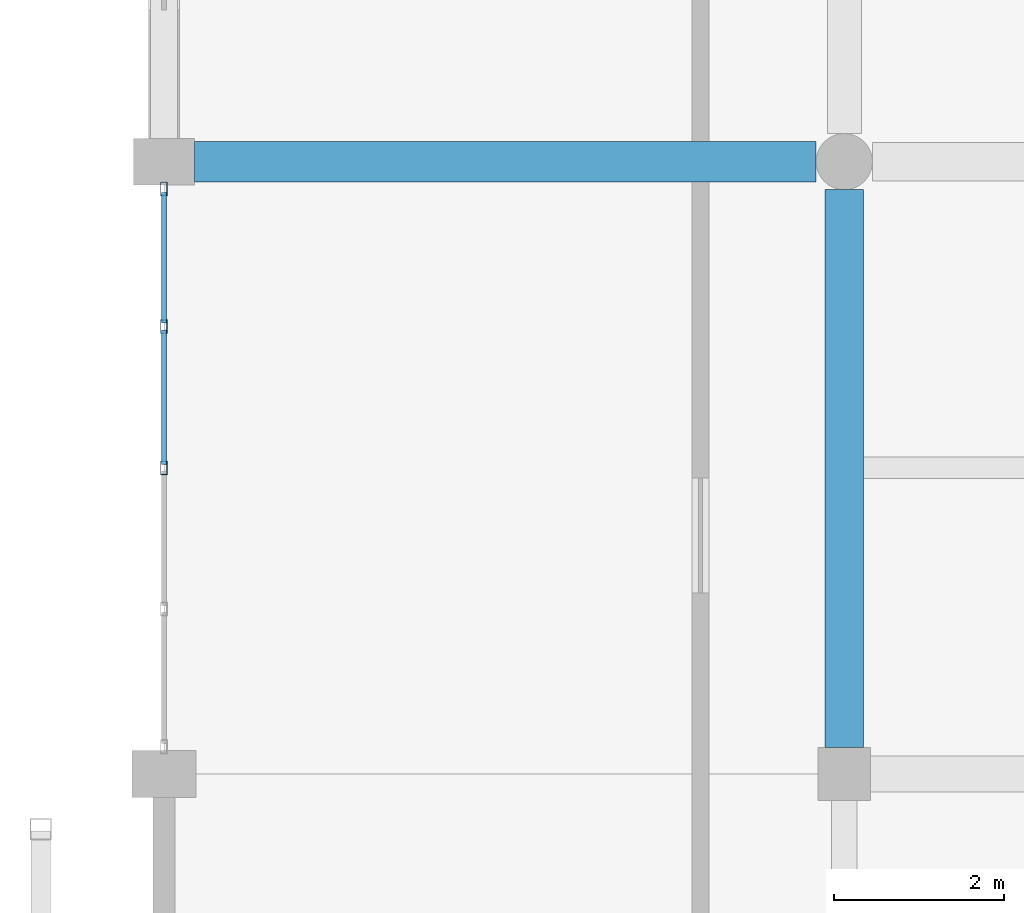
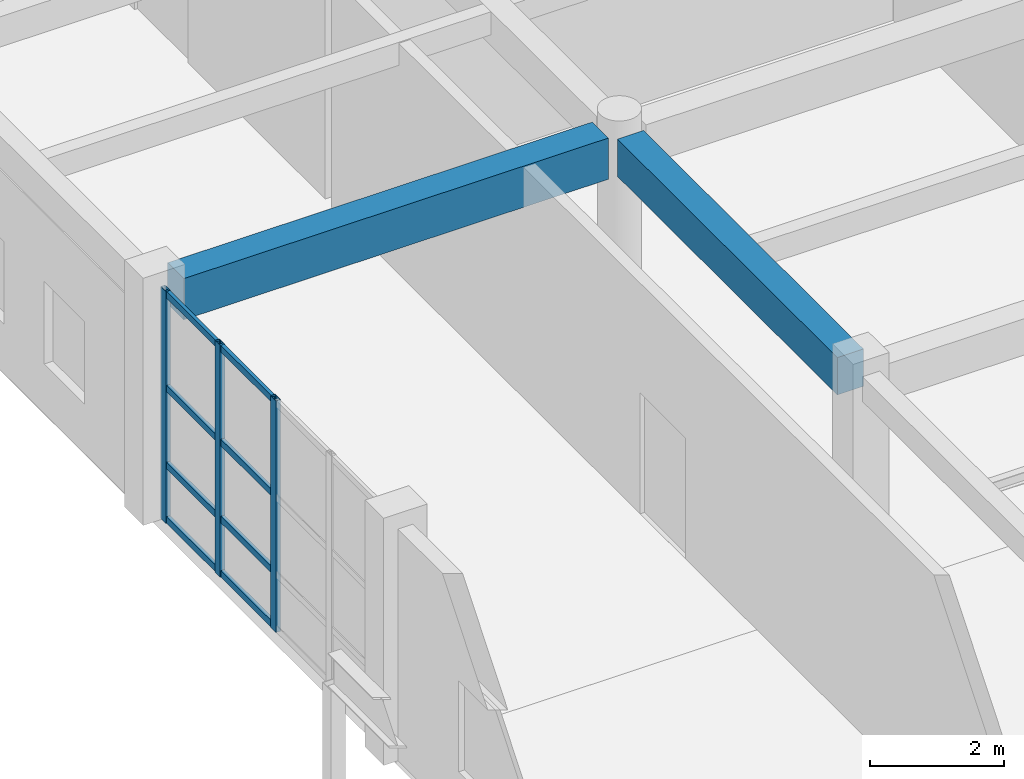
# One storey, part 71 of 160: 11 members, 2 beams, 1 element without a shape of its own.
"""IFC4 building model written with IfcOpenShell, lengths in metres."""

from ifc_helpers import new_model, si_unit, direction, frame, origin, origin_2d, place, context, subcontext, project, spatial, rectangle, hollow_rectangle, extrude, material, material_profile, profile_set, type_object, element, aggregate, save


model = new_model("IFC4")

# Units and contexts
model_context = context("Model", 3, precision=1e-05, world=origin(), true_north=direction((0.0, 1.0)))
body_context = subcontext(model_context, "Body", "Model", "MODEL_VIEW")
ifc_project = project(units=[si_unit("LENGTHUNIT", "METRE"), si_unit("AREAUNIT", "SQUARE_METRE"), si_unit("VOLUMEUNIT", "CUBIC_METRE"), si_unit("PLANEANGLEUNIT", "RADIAN"), si_unit("MASSUNIT", "GRAM", prefix="KILO")], contexts=[model_context])

# Site, building, storey
site_placement = place(None, origin())
site = spatial("IfcSite", under=ifc_project, at=site_placement, CompositionType="ELEMENT")
building_placement = place(site_placement, origin())
building = spatial("IfcBuilding", under=site, at=building_placement, Name="Kharva Crest Polytechnic", CompositionType="ELEMENT")
storey_placement = place(building_placement, frame((0.0, 0.0, 4.5)))
storey = spatial("IfcBuildingStorey", under=building, at=storey_placement, Name="L01", CompositionType="ELEMENT", Elevation=4.5)

# Beams
ifc_material_1 = material(Name="Concrete C35/45", Category="concrete")
ifc_material_profile_1 = material_profile(ifc_material_1, rectangle(XDim=0.449951171875, YDim=0.679931640625, at=origin_2d()), Name="RECT 450 X 680")
ifc_profile_set_1 = profile_set([ifc_material_profile_1], Name="Concrete C35/45")
beam_type_1 = type_object("IfcBeamType", Name="BM-RC-450X680", PredefinedType="BEAM", material=ifc_profile_set_1)
beam_1_placement = place(storey_placement, frame((40.0, 93.510009765625, 3.8798828125), z_axis=(0.0, 1.0, 0.0), x_axis=(-1.0, 0.0, 0.0)))
element("IfcBeam", 1, at=beam_1_placement, inside=storey, type_object=beam_type_1, Name="L01 Girder 6/N-P", PredefinedType="BEAM", context=body_context, shape_type="SweptSolid", body=[
    extrude(rectangle(XDim=0.449951171875, YDim=0.679931640625, at=origin_2d()), origin(), (0.0, 0.0, 1.0), 6.56005859375),
])
ifc_material_profile_2 = material_profile(ifc_material_1, rectangle(XDim=0.47998046875, YDim=0.75, at=origin_2d()), Name="RECT 480 X 750")
ifc_profile_set_2 = profile_set([ifc_material_profile_2], Name="Concrete C35/45")
beam_type_2 = type_object("IfcBeamType", Name="BM-RC-480X750", PredefinedType="BEAM", material=ifc_profile_set_2)
beam_2_placement = place(storey_placement, frame((32.360107421875, 100.39990234375, 3.844970703125), z_axis=(1.0, 0.0, 0.0), x_axis=(0.0, 1.0, 0.0)))
element("IfcBeam", 2, at=beam_2_placement, inside=storey, type_object=beam_type_2, Name="L01 Beam P/5-6", PredefinedType="BEAM", context=body_context, shape_type="SweptSolid", body=[
    extrude(rectangle(XDim=0.47998046875, YDim=0.75, at=origin_2d()), origin(), (0.0, 0.0, 1.0), 7.309814453125),
])

# Curtain wall, members
ifc_material_2 = material(Name="Tempered insulated glass", Category="glass")
curtain_wall_type = type_object("IfcCurtainWallType", Name="CW-SYS-COURT", PredefinedType="USERDEFINED", material=ifc_material_2)
curtain_wall_placement = place(storey_placement, origin())
curtain_wall = element("IfcCurtainWall", 3, at=curtain_wall_placement, inside=storey, type_object=curtain_wall_type, Name="L01 Glazed Curtain Wall CW-079", ObjectType="CURTAIN WALL", PredefinedType="USERDEFINED")
ifc_material_3 = material(Name="Steel S355", Category="steel")
ifc_material_profile_3 = material_profile(ifc_material_3, hollow_rectangle(XDim=0.080078125, YDim=0.159912109375, WallThickness=0.0048828125, at=origin_2d()), Name="RHS 160X80X5.0")
ifc_profile_set_3 = profile_set([ifc_material_profile_3], Name="Steel S355")
member_type_1 = type_object("IfcMemberType", Name="CWM-RHS160X80", PredefinedType="MULLION", material=ifc_profile_set_3)
member_1_placement = place(storey_placement, frame((32.0, 100.080078125, 0.0), z_axis=(0.0, 0.0, 1.0), x_axis=(1.0, 0.0, 0.0)))
member_1 = element("IfcMember", 4, at=member_1_placement, type_object=member_type_1, Name="CW-079 mullion 1", PredefinedType="MULLION", context=body_context, shape_type="SweptSolid", body=[
    extrude(hollow_rectangle(XDim=0.080078125, YDim=0.159912109375, WallThickness=0.0048828125, at=origin_2d()), origin(), (0.0, 0.0, 1.0), 4.219970703125),
])
member_2_placement = place(storey_placement, frame((32.0, 98.4599609375, 0.0), z_axis=(0.0, 0.0, 1.0), x_axis=(1.0, 0.0, 0.0)))
member_2 = element("IfcMember", 5, at=member_2_placement, type_object=member_type_1, Name="CW-079 mullion 2", PredefinedType="MULLION", context=body_context, shape_type="SweptSolid", body=[
    extrude(hollow_rectangle(XDim=0.080078125, YDim=0.159912109375, WallThickness=0.0048828125, at=origin_2d()), origin(), (0.0, 0.0, 1.0), 4.219970703125),
])
member_3_placement = place(storey_placement, frame((32.0, 96.800048828125, 0.0), z_axis=(0.0, 0.0, 1.0), x_axis=(1.0, 0.0, 0.0)))
member_3 = element("IfcMember", 6, at=member_3_placement, type_object=member_type_1, Name="CW-079 mullion 3", PredefinedType="MULLION", context=body_context, shape_type="SweptSolid", body=[
    extrude(hollow_rectangle(XDim=0.080078125, YDim=0.159912109375, WallThickness=0.0048828125, at=origin_2d()), origin(), (0.0, 0.0, 1.0), 4.219970703125),
])
ifc_material_profile_4 = material_profile(ifc_material_3, hollow_rectangle(XDim=0.06005859375, YDim=0.1201171875, WallThickness=0.00390625, at=origin_2d()), Name="RHS 120X60X4.0")
ifc_profile_set_4 = profile_set([ifc_material_profile_4], Name="Steel S355")
member_type_2 = type_object("IfcMemberType", Name="CWT-RHS120X60", PredefinedType="USERDEFINED", material=ifc_profile_set_4)
member_4_placement = place(storey_placement, frame((32.0, 100.0400390625, 0.06005859375), z_axis=(0.0, -1.0, 0.0), x_axis=(1.0, 0.0, 0.0)))
member_4 = element("IfcMember", 7, at=member_4_placement, type_object=member_type_2, Name="CW-079 transom 1.1", ObjectType="TRANSOM", PredefinedType="USERDEFINED", context=body_context, shape_type="SweptSolid", body=[
    extrude(hollow_rectangle(XDim=0.06005859375, YDim=0.1201171875, WallThickness=0.00390625, at=origin_2d()), origin(), (0.0, 0.0, 1.0), 1.5400390625),
])
member_5_placement = place(storey_placement, frame((32.0, 100.0400390625, 1.050048828125), z_axis=(0.0, -1.0, 0.0), x_axis=(1.0, 0.0, 0.0)))
member_5 = element("IfcMember", 8, at=member_5_placement, type_object=member_type_2, Name="CW-079 transom 1.2", ObjectType="TRANSOM", PredefinedType="USERDEFINED", context=body_context, shape_type="SweptSolid", body=[
    extrude(hollow_rectangle(XDim=0.06005859375, YDim=0.1201171875, WallThickness=0.00390625, at=origin_2d()), origin(), (0.0, 0.0, 1.0), 1.5400390625),
])
member_6_placement = place(storey_placement, frame((32.0, 100.0400390625, 2.449951171875), z_axis=(0.0, -1.0, 0.0), x_axis=(1.0, 0.0, 0.0)))
member_6 = element("IfcMember", 9, at=member_6_placement, type_object=member_type_2, Name="CW-079 transom 1.3", ObjectType="TRANSOM", PredefinedType="USERDEFINED", context=body_context, shape_type="SweptSolid", body=[
    extrude(hollow_rectangle(XDim=0.06005859375, YDim=0.1201171875, WallThickness=0.00390625, at=origin_2d()), origin(), (0.0, 0.0, 1.0), 1.5400390625),
])
member_7_placement = place(storey_placement, frame((32.0, 100.0400390625, 4.159912109375), z_axis=(0.0, -1.0, 0.0), x_axis=(1.0, 0.0, 0.0)))
member_7 = element("IfcMember", 10, at=member_7_placement, type_object=member_type_2, Name="CW-079 transom 1.4", ObjectType="TRANSOM", PredefinedType="USERDEFINED", context=body_context, shape_type="SweptSolid", body=[
    extrude(hollow_rectangle(XDim=0.06005859375, YDim=0.1201171875, WallThickness=0.00390625, at=origin_2d()), origin(), (0.0, 0.0, 1.0), 1.5400390625),
])
member_8_placement = place(storey_placement, frame((32.0, 98.419921875, 0.06005859375), z_axis=(0.0, -1.0, 0.0), x_axis=(1.0, 0.0, 0.0)))
member_8 = element("IfcMember", 11, at=member_8_placement, type_object=member_type_2, Name="CW-079 transom 2.1", ObjectType="TRANSOM", PredefinedType="USERDEFINED", context=body_context, shape_type="SweptSolid", body=[
    extrude(hollow_rectangle(XDim=0.06005859375, YDim=0.1201171875, WallThickness=0.00390625, at=origin_2d()), origin(), (0.0, 0.0, 1.0), 1.579833984375),
])
member_9_placement = place(storey_placement, frame((32.0, 98.419921875, 1.050048828125), z_axis=(0.0, -1.0, 0.0), x_axis=(1.0, 0.0, 0.0)))
member_9 = element("IfcMember", 12, at=member_9_placement, type_object=member_type_2, Name="CW-079 transom 2.2", ObjectType="TRANSOM", PredefinedType="USERDEFINED", context=body_context, shape_type="SweptSolid", body=[
    extrude(hollow_rectangle(XDim=0.06005859375, YDim=0.1201171875, WallThickness=0.00390625, at=origin_2d()), origin(), (0.0, 0.0, 1.0), 1.579833984375),
])
member_10_placement = place(storey_placement, frame((32.0, 98.419921875, 2.449951171875), z_axis=(0.0, -1.0, 0.0), x_axis=(1.0, 0.0, 0.0)))
member_10 = element("IfcMember", 13, at=member_10_placement, type_object=member_type_2, Name="CW-079 transom 2.3", ObjectType="TRANSOM", PredefinedType="USERDEFINED", context=body_context, shape_type="SweptSolid", body=[
    extrude(hollow_rectangle(XDim=0.06005859375, YDim=0.1201171875, WallThickness=0.00390625, at=origin_2d()), origin(), (0.0, 0.0, 1.0), 1.579833984375),
])
member_11_placement = place(storey_placement, frame((32.0, 98.419921875, 4.159912109375), z_axis=(0.0, -1.0, 0.0), x_axis=(1.0, 0.0, 0.0)))
member_11 = element("IfcMember", 14, at=member_11_placement, type_object=member_type_2, Name="CW-079 transom 2.4", ObjectType="TRANSOM", PredefinedType="USERDEFINED", context=body_context, shape_type="SweptSolid", body=[
    extrude(hollow_rectangle(XDim=0.06005859375, YDim=0.1201171875, WallThickness=0.00390625, at=origin_2d()), origin(), (0.0, 0.0, 1.0), 1.579833984375),
])
aggregate(curtain_wall, [member_1, member_2, member_3, member_4, member_5, member_6, member_7, member_8, member_9, member_10, member_11])

save(model, "model.ifc")
